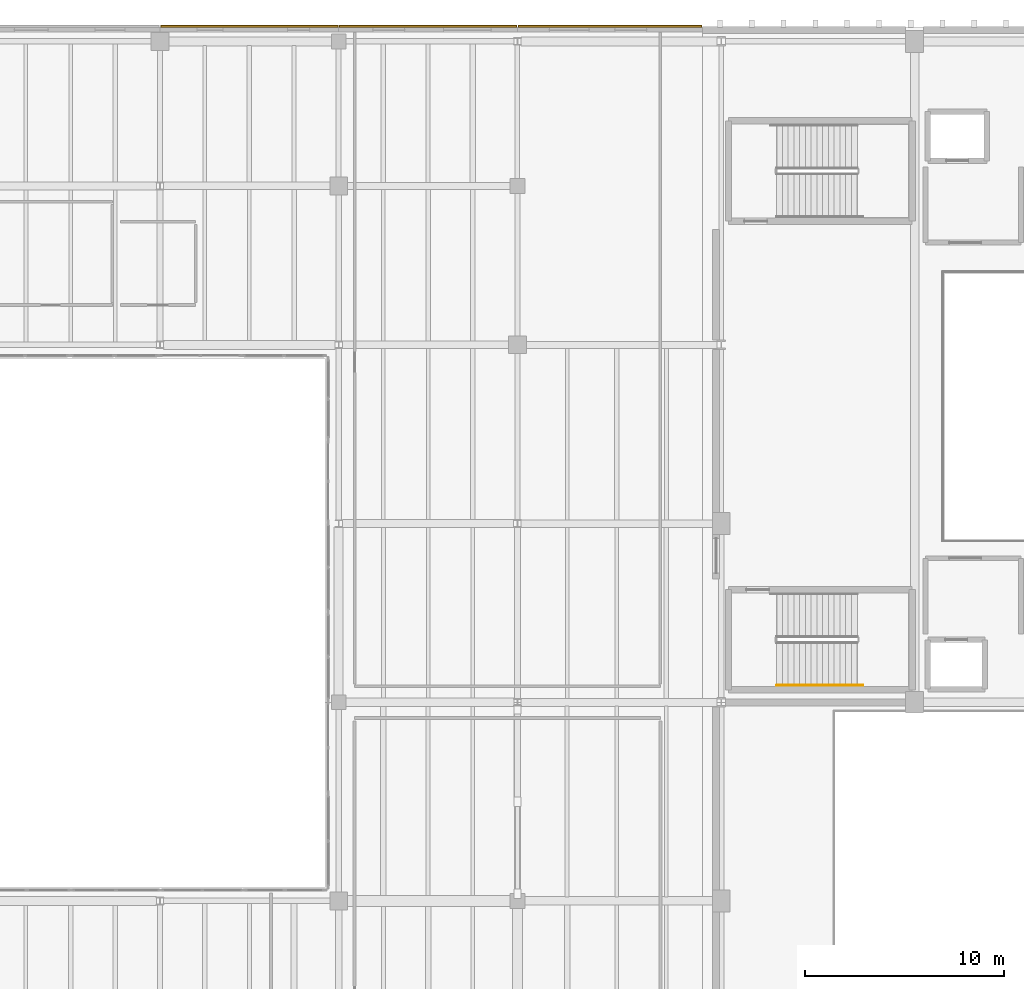
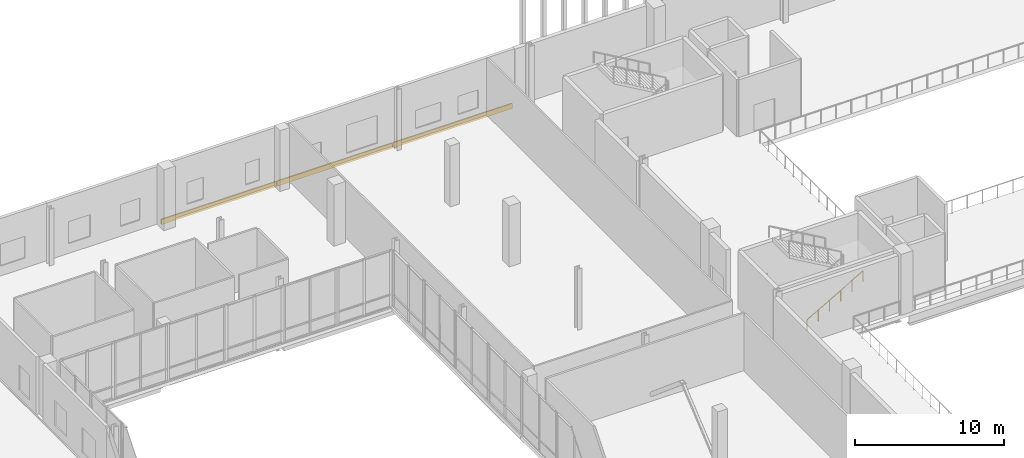
# One storey, part 53 of 60: 3 coverings, 1 railing.
"""IFC4 building model written with IfcOpenShell, lengths in metres."""

from ifc_helpers import new_model, si_unit, direction, frame, origin, origin_2d, place, context, subcontext, project, spatial, rectangle, circle, extrude, material, layer, layer_set, type_object, element, save


model = new_model("IFC4")

# Units and contexts
model_context = context("Model", 3, precision=1e-05, world=origin(), true_north=direction((0.0, 1.0)))
body_context = subcontext(model_context, "Body", "Model", "MODEL_VIEW")
ifc_project = project(units=[si_unit("LENGTHUNIT", "METRE"), si_unit("AREAUNIT", "SQUARE_METRE"), si_unit("VOLUMEUNIT", "CUBIC_METRE"), si_unit("PLANEANGLEUNIT", "RADIAN"), si_unit("MASSUNIT", "GRAM", prefix="KILO")], contexts=[model_context])

# Site, building, storey
site_placement = place(None, origin())
site = spatial("IfcSite", under=ifc_project, at=site_placement, CompositionType="ELEMENT")
building_placement = place(site_placement, origin())
building = spatial("IfcBuilding", under=site, at=building_placement, Name="Trimount Lyric Opera House", CompositionType="ELEMENT")
storey_placement = place(building_placement, frame((0.0, 0.0, 15.0)))
storey = spatial("IfcBuildingStorey", under=building, at=storey_placement, Name="L03", CompositionType="ELEMENT", Elevation=15.0)

# Coverings
ifc_material_1 = material(Name="Architectural Precast Concrete Spandrel Band", Category="concrete")
ifc_layer = layer(ifc_material_1, 0.094970703125)
ifc_layer_set = layer_set([ifc_layer], Name="CLD-WING1")
covering_type = type_object("IfcCoveringType", Name="CLD-WING1", PredefinedType="CLADDING", material=ifc_layer_set)
for number, where, z_axis, x_axis, name in (
    (1, (40.5, 118.04150390625, -0.369873046875), (0.0, 0.0, 1.0), (1.0, 0.0, 0.0), "L03 precast slab-edge spandrel 255"),
    (2, (49.5, 118.04150390625, -0.369873046875), (0.0, 0.0, 1.0), (1.0, 0.0, 0.0), "L03 precast slab-edge spandrel 256"),
):
    element("IfcCovering", number, at=place(storey_placement, frame(where, z_axis=z_axis, x_axis=x_axis)), inside=storey, type_object=covering_type, Name=name, PredefinedType="CLADDING", context=body_context, shape_type="SweptSolid", body=[
        extrude(rectangle(XDim=8.93994140625, YDim=0.094970703125, at=origin_2d()), origin(), (0.0, 0.0, 1.0), 0.419921875),
    ])
covering_placement = place(storey_placement, frame((58.659912109375, 118.04150390625, -0.369873046875), z_axis=(0.0, 0.0, 1.0), x_axis=(1.0, 0.0, 0.0)))
element("IfcCovering", 3, at=covering_placement, inside=storey, type_object=covering_type, Name="L03 precast slab-edge spandrel 257", PredefinedType="CLADDING", context=body_context, shape_type="SweptSolid", body=[
    extrude(rectangle(XDim=9.260009765625, YDim=0.094970703125, at=origin_2d()), origin(), (0.0, 0.0, 1.0), 0.419921875),
])

# Railing
ifc_material_2 = material(Name="Brushed Stainless Steel 316", Category="steel")
railing_type = type_object("IfcRailingType", Name="RL-HND092", PredefinedType="HANDRAIL", material=ifc_material_2)
railing_placement = place(storey_placement, frame((67.050048828125, 84.85009765625, 0.166748046875)))
element("IfcRailing", 4, at=railing_placement, inside=storey, type_object=railing_type, Name="L03 ST-03 stair handrail 1", PredefinedType="HANDRAIL", context=body_context, shape_type="SweptSolid", body=[
    extrude(circle(Radius=0.0224609375, at=origin_2d()), frame((0.0, 0.0, 0.8974609375), z_axis=(0.866754379005, 0.0, 0.498735246875), x_axis=(0.0, 1.0, 0.0)), (0.0, 0.0, 1.0), 5.0185546875),
    extrude(circle(Radius=0.02099609375, at=origin_2d()), origin(), (0.0, 0.0, 1.0), 0.875),
    extrude(circle(Radius=0.02099609375, at=origin_2d()), frame((0.869873046875, 0.0, 0.50048828125)), (0.0, 0.0, 1.0), 0.875),
    extrude(circle(Radius=0.02099609375, at=origin_2d()), frame((1.739990234375, 0.0, 1.001220703125)), (0.0, 0.0, 1.0), 0.875),
    extrude(circle(Radius=0.02099609375, at=origin_2d()), frame((2.60986328125, 0.0, 1.501708984375)), (0.0, 0.0, 1.0), 0.875),
    extrude(circle(Radius=0.02099609375, at=origin_2d()), frame((3.47998046875, 0.0, 2.00244140625)), (0.0, 0.0, 1.0), 0.875),
    extrude(circle(Radius=0.02099609375, at=origin_2d()), frame((4.349853515625, 0.0, 2.5029296875)), (0.0, 0.0, 1.0), 0.875),
])

save(model, "model.ifc")
